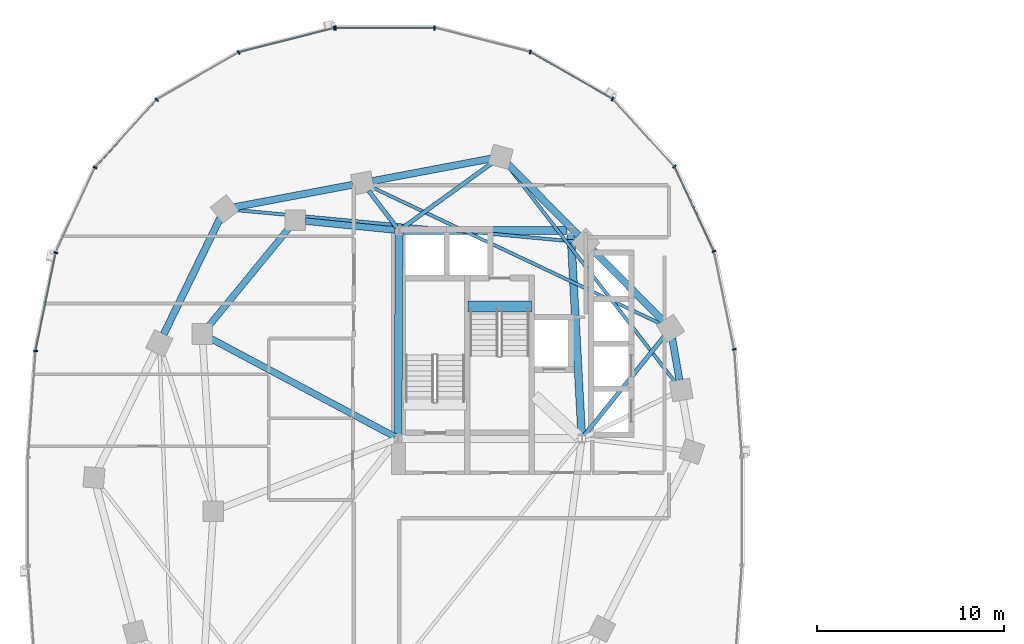
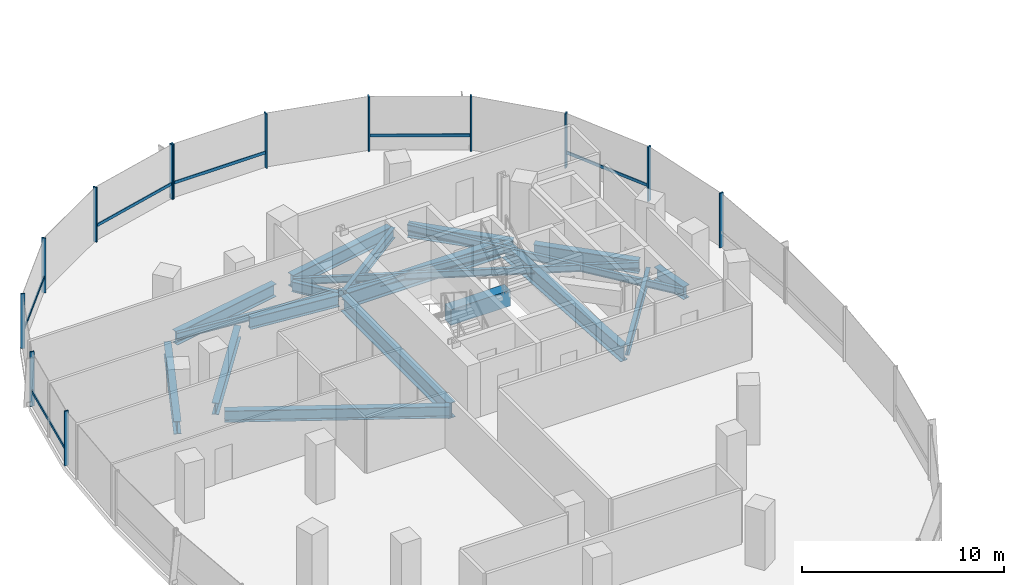
# One storey, part 4 of 21: 19 beams, 19 members, 2 elements without a shape of their own.
"""IFC4 building model written with IfcOpenShell, lengths in metres."""

from ifc_helpers import new_model, si_unit, direction, frame, origin, origin_2d, place, context, subcontext, project, spatial, rectangle, i_section, extrude, material, material_profile, profile_set, type_object, element, aggregate, save


model = new_model("IFC4")

# Units and contexts
model_context = context("Model", 3, precision=1e-05, world=origin(), true_north=direction((0.0, 1.0)))
body_context = subcontext(model_context, "Body", "Model", "MODEL_VIEW")
ifc_project = project(units=[si_unit("LENGTHUNIT", "METRE"), si_unit("AREAUNIT", "SQUARE_METRE"), si_unit("VOLUMEUNIT", "CUBIC_METRE"), si_unit("PLANEANGLEUNIT", "RADIAN"), si_unit("MASSUNIT", "GRAM", prefix="KILO"), si_unit("THERMODYNAMICTEMPERATUREUNIT", "KELVIN"), si_unit("POWERUNIT", "WATT")], contexts=[model_context])

# Site, building, storey
site_placement = place(None, origin())
site = spatial("IfcSite", under=ifc_project, at=site_placement, CompositionType="ELEMENT")
building_placement = place(site_placement, origin())
building = spatial("IfcBuilding", under=site, at=building_placement, Name="Cundina Bronze Exchange", CompositionType="ELEMENT")
storey_placement = place(building_placement, frame((0.0, 0.0, 89.0)))
storey = spatial("IfcBuildingStorey", under=building, at=storey_placement, Name="L22", CompositionType="ELEMENT", Elevation=89.0)

# Beams
ifc_material_1 = material(Name="Concrete C60/75", Category="concrete")
ifc_material_profile_1 = material_profile(ifc_material_1, rectangle(XDim=0.60009765625, YDim=0.949951171875, at=origin_2d()), Name="RC600X950", Category="concrete")
ifc_profile_set_1 = profile_set([ifc_material_profile_1], Name="Concrete C60/75")
beam_type_1 = type_object("IfcBeamType", Name="BM-COUP-RC950", PredefinedType="LINTEL", material=ifc_profile_set_1)
beam_1_placement = place(storey_placement, frame((-27.56005859375, 10.97998046875, -0.47509765625), z_axis=(1.0, 0.0, 0.0), x_axis=(0.0, 1.0, 0.0)))
element("IfcBeam", 1, at=beam_1_placement, inside=storey, type_object=beam_type_1, Name="L22 Stair W2 Landing Header Beam", PredefinedType="LINTEL", context=body_context, shape_type="SweptSolid", body=[
    extrude(rectangle(XDim=0.60009765625, YDim=0.949951171875, at=origin_2d()), origin(), (0.0, 0.0, 1.0), 3.400146484375),
])
ifc_material_2 = material(Name="Steel ASTM A992 Grade 50", Category="steel")
ifc_material_profile_2 = material_profile(ifc_material_2, i_section(OverallWidth=0.22998046875, OverallDepth=0.616943359375, WebThickness=0.01318359375, FlangeThickness=0.022216796875, FilletRadius=0.013916015625, at=origin_2d()), Name="W24X94", Category="steel")
ifc_profile_set_2 = profile_set([ifc_material_profile_2], Name="Steel ASTM A992 Grade 50")
beam_type_2 = type_object("IfcBeamType", Name="BM-FLR-W24B", PredefinedType="BEAM", material=ifc_profile_set_2)
beam_2_placement = place(storey_placement, frame((-21.322021484375, 4.058837890625, -0.6083984375), z_axis=(0.627106187843, 0.778933777139, 0.0), x_axis=(-0.778933777139, 0.627106187843, 0.0)))
element("IfcBeam", 2, at=beam_2_placement, inside=storey, type_object=beam_type_2, Name="L22 Leg W Radial Floor Beam 02", PredefinedType="BEAM", context=body_context, shape_type="SweptSolid", body=[
    extrude(i_section(OverallWidth=0.22998046875, OverallDepth=0.616943359375, WebThickness=0.01318359375, FlangeThickness=0.022216796875, FilletRadius=0.013916015625, at=origin_2d()), origin(), (0.0, 0.0, 1.0), 6.83251953125),
])
beam_3_placement = place(storey_placement, frame((-31.084716796875, 15.169677734375, -0.6083984375), z_axis=(0.809686957662, 0.586862020063, 0.0), x_axis=(-0.586862020063, 0.809686957662, 0.0)))
element("IfcBeam", 3, at=beam_3_placement, inside=storey, type_object=beam_type_2, Name="L22 Leg W Radial Floor Beam 04", PredefinedType="BEAM", context=body_context, shape_type="SweptSolid", body=[
    extrude(i_section(OverallWidth=0.22998046875, OverallDepth=0.616943359375, WebThickness=0.01318359375, FlangeThickness=0.022216796875, FilletRadius=0.013916015625, at=origin_2d()), origin(), (0.0, 0.0, 1.0), 5.98876953125),
])
beam_4_placement = place(storey_placement, frame((-31.373779296875, 15.2119140625, -0.6083984375), z_axis=(-0.607490490457, 0.79432695032, 0.0), x_axis=(-0.79432695032, -0.607490490457, 0.0)))
element("IfcBeam", 4, at=beam_4_placement, inside=storey, type_object=beam_type_2, Name="L22 Leg W Radial Floor Beam 05", PredefinedType="BEAM", context=body_context, shape_type="SweptSolid", body=[
    extrude(i_section(OverallWidth=0.22998046875, OverallDepth=0.616943359375, WebThickness=0.01318359375, FlangeThickness=0.022216796875, FilletRadius=0.013916015625, at=origin_2d()), origin(), (0.0, 0.0, 1.0), 2.46826171875),
])
ifc_material_profile_3 = material_profile(ifc_material_2, i_section(OverallWidth=0.178955078125, OverallDepth=0.409912109375, WebThickness=0.0087890625, FlangeThickness=0.014404296875, FilletRadius=0.010986328125, at=origin_2d()), Name="W16X45", Category="steel")
ifc_profile_set_3 = profile_set([ifc_material_profile_3], Name="Steel ASTM A992 Grade 50")
beam_type_3 = type_object("IfcBeamType", Name="BM-JST-W16", PredefinedType="JOIST", material=ifc_profile_set_3)
beam_5_placement = place(storey_placement, frame((-16.454345703125, 6.92529296875, -0.5048828125), z_axis=(-0.612065218806, 0.790807288742, 0.0), x_axis=(-0.790807288742, -0.612065218806, 0.0)))
element("IfcBeam", 5, at=beam_5_placement, inside=storey, type_object=beam_type_3, Name="L22 Leg W Lobe Floor Joist 01-04", PredefinedType="JOIST", context=body_context, shape_type="SweptSolid", body=[
    extrude(i_section(OverallWidth=0.178955078125, OverallDepth=0.409912109375, WebThickness=0.0087890625, FlangeThickness=0.014404296875, FilletRadius=0.010986328125, at=origin_2d()), origin(), (0.0, 0.0, 1.0), 14.73095703125),
])
beam_6_placement = place(storey_placement, frame((-17.186279296875, 10.02978515625, -0.5048828125), z_axis=(-0.904069270633, 0.427385954259, 0.0), x_axis=(-0.427385954259, -0.904069270633, 0.0)))
element("IfcBeam", 6, at=beam_6_placement, inside=storey, type_object=beam_type_3, Name="L22 Leg W Lobe Floor Joist 02-05", PredefinedType="JOIST", context=body_context, shape_type="SweptSolid", body=[
    extrude(i_section(OverallWidth=0.178955078125, OverallDepth=0.409912109375, WebThickness=0.0087890625, FlangeThickness=0.014404296875, FilletRadius=0.010986328125, at=origin_2d()), origin(), (0.0, 0.0, 1.0), 17.175048828125),
])
beam_7_placement = place(storey_placement, frame((-21.78564453125, 14.44970703125, -0.5048828125), z_axis=(-0.995700674022, 0.092629194921, 0.0), x_axis=(-0.092629194921, -0.995700674022, 0.0)))
element("IfcBeam", 7, at=beam_7_placement, inside=storey, type_object=beam_type_3, Name="L22 Leg W Lobe Floor Joist 03-06", PredefinedType="JOIST", context=body_context, shape_type="SweptSolid", body=[
    extrude(i_section(OverallWidth=0.178955078125, OverallDepth=0.409912109375, WebThickness=0.0087890625, FlangeThickness=0.014404296875, FilletRadius=0.010986328125, at=origin_2d()), origin(), (0.0, 0.0, 1.0), 18.357421875),
])
ifc_material_profile_4 = material_profile(ifc_material_2, i_section(OverallWidth=0.35498046875, OverallDepth=0.695068359375, WebThickness=0.015380859375, FlangeThickness=0.02490234375, FilletRadius=0.01806640625, at=origin_2d()), Name="W27X146", Category="steel")
ifc_profile_set_4 = profile_set([ifc_material_profile_4], Name="Steel ASTM A992 Grade 50")
beam_type_4 = type_object("IfcBeamType", Name="BM-RING-W27", PredefinedType="USERDEFINED", material=ifc_profile_set_4)
beam_8_placement = place(storey_placement, frame((-31.452880859375, 15.070068359375, -0.6474609375), z_axis=(-0.995126271817, 0.098608839051, 0.0), x_axis=(-0.098608839051, -0.995126271817, 0.0)))
element("IfcBeam", 8, at=beam_8_placement, inside=storey, type_object=beam_type_4, Name="L22 W Inner Structural Ring Girder 01", ObjectType="GIRDER", PredefinedType="USERDEFINED", context=body_context, shape_type="SweptSolid", body=[
    extrude(i_section(OverallWidth=0.35498046875, OverallDepth=0.695068359375, WebThickness=0.015380859375, FlangeThickness=0.02490234375, FilletRadius=0.01806640625, at=origin_2d()), origin(), (0.0, 0.0, 1.0), 4.83544921875),
])
beam_9_placement = place(storey_placement, frame((-37.14111328125, 15.183837890625, -0.6474609375), z_axis=(-0.633926549035, -0.773393257295, 0.0), x_axis=(0.773393257295, -0.633926549035, 0.0)))
element("IfcBeam", 9, at=beam_9_placement, inside=storey, type_object=beam_type_4, Name="L22 W Inner Structural Ring Girder 02", ObjectType="GIRDER", PredefinedType="USERDEFINED", context=body_context, shape_type="SweptSolid", body=[
    extrude(i_section(OverallWidth=0.35498046875, OverallDepth=0.695068359375, WebThickness=0.015380859375, FlangeThickness=0.02490234375, FilletRadius=0.01806640625, at=origin_2d()), origin(), (0.0, 0.0, 1.0), 6.811279296875),
])
beam_10_placement = place(storey_placement, frame((-31.47998046875, 3.99609375, -0.6474609375), z_axis=(-0.882354758239, 0.470584828286, 0.0), x_axis=(-0.470584828286, -0.882354758239, 0.0)))
element("IfcBeam", 10, at=beam_10_placement, inside=storey, type_object=beam_type_4, Name="L22 W Core-to-Waist Tie Beam 2", ObjectType="GIRDER", PredefinedType="USERDEFINED", context=body_context, shape_type="SweptSolid", body=[
    extrude(i_section(OverallWidth=0.35498046875, OverallDepth=0.695068359375, WebThickness=0.015380859375, FlangeThickness=0.02490234375, FilletRadius=0.01806640625, at=origin_2d()), origin(), (0.0, 0.0, 1.0), 11.157958984375),
])
ifc_material_profile_5 = material_profile(ifc_material_2, i_section(OverallWidth=0.381103515625, OverallDepth=0.77294921875, WebThickness=0.0166015625, FlangeThickness=0.027099609375, FilletRadius=0.01904296875, at=origin_2d()), Name="W30X173", Category="steel")
ifc_profile_set_5 = profile_set([ifc_material_profile_5], Name="Steel ASTM A992 Grade 50")
beam_type_5 = type_object("IfcBeamType", Name="BM-RING-W30", PredefinedType="USERDEFINED", material=ifc_profile_set_5)
beam_11_placement = place(storey_placement, frame((-16.21728515625, 7.030029296875, -0.6865234375), z_axis=(-0.171690078326, 0.985151012284, 0.0), x_axis=(-0.985151012284, -0.171690078326, 0.0)))
element("IfcBeam", 11, at=beam_11_placement, inside=storey, type_object=beam_type_5, Name="L22 W Perimeter Ring Girder 01", ObjectType="GIRDER", PredefinedType="USERDEFINED", context=body_context, shape_type="SweptSolid", body=[
    extrude(i_section(OverallWidth=0.381103515625, OverallDepth=0.77294921875, WebThickness=0.0166015625, FlangeThickness=0.027099609375, FilletRadius=0.01904296875, at=origin_2d()), origin(), (0.0, 0.0, 1.0), 2.273681640625),
])
for number, where, z_axis, x_axis, name in (
    (12, (-17.078369140625, 10.1826171875, -0.6865234375), (-0.703226342126, 0.7109660412, 0.0), (-0.7109660412, -0.703226342126, 0.0), "L22 W Perimeter Ring Girder 02"),
    (13, (-21.62841796875, 14.782470703125, -0.6865234375), (-0.703226342126, 0.7109660412, 0.0), (-0.7109660412, -0.703226342126, 0.0), "L22 W Perimeter Ring Girder 03"),
):
    element("IfcBeam", number, at=place(storey_placement, frame(where, z_axis=z_axis, x_axis=x_axis)), inside=storey, type_object=beam_type_5, Name=name, ObjectType="GIRDER", PredefinedType="USERDEFINED", context=body_context, shape_type="SweptSolid", body=[
        extrude(i_section(OverallWidth=0.381103515625, OverallDepth=0.77294921875, WebThickness=0.0166015625, FlangeThickness=0.027099609375, FilletRadius=0.01904296875, at=origin_2d()), origin(), (0.0, 0.0, 1.0), 5.39404296875),
    ])
for number, where, z_axis, x_axis, name in (
    (14, (-26.32861328125, 18.89990234375, -0.6865234375), (-0.98257117919, -0.185886733861, 0.0), (0.185886733861, -0.98257117919, 0.0), "L22 W Perimeter Ring Girder 04"),
    (15, (-33.728515625, 17.5, -0.6865234375), (-0.98257117919, -0.185886733861, 0.0), (0.185886733861, -0.98257117919, 0.0), "L22 W Perimeter Ring Girder 05"),
):
    element("IfcBeam", number, at=place(storey_placement, frame(where, z_axis=z_axis, x_axis=x_axis)), inside=storey, type_object=beam_type_5, Name=name, ObjectType="GIRDER", PredefinedType="USERDEFINED", context=body_context, shape_type="SweptSolid", body=[
        extrude(i_section(OverallWidth=0.381103515625, OverallDepth=0.77294921875, WebThickness=0.0166015625, FlangeThickness=0.027099609375, FilletRadius=0.01904296875, at=origin_2d()), origin(), (0.0, 0.0, 1.0), 6.455322265625),
    ])
beam_12_placement = place(storey_placement, frame((-40.835205078125, 15.716064453125, -0.6865234375), z_axis=(-0.437193894283, -0.899367276924, 0.0), x_axis=(0.899367276924, -0.437193894283, 0.0)))
element("IfcBeam", 16, at=beam_12_placement, inside=storey, type_object=beam_type_5, Name="L22 W Perimeter Ring Girder 06", ObjectType="GIRDER", PredefinedType="USERDEFINED", context=body_context, shape_type="SweptSolid", body=[
    extrude(i_section(OverallWidth=0.381103515625, OverallDepth=0.77294921875, WebThickness=0.0166015625, FlangeThickness=0.027099609375, FilletRadius=0.01904296875, at=origin_2d()), origin(), (0.0, 0.0, 1.0), 6.929443359375),
])
ifc_material_profile_6 = material_profile(ifc_material_2, i_section(OverallWidth=0.41796875, OverallDepth=0.927001953125, WebThickness=0.019287109375, FlangeThickness=0.031982421875, FilletRadius=0.02392578125, at=origin_2d()), Name="W36X231", Category="steel")
ifc_profile_set_6 = profile_set([ifc_material_profile_6], Name="Steel ASTM A992 Grade 50")
beam_type_6 = type_object("IfcBeamType", Name="BM-WRN-W36B", PredefinedType="USERDEFINED", material=ifc_profile_set_6)
beam_13_placement = place(storey_placement, frame((-21.4609375, 4.103759765625, -0.763427734375), z_axis=(-0.053739193498, 0.998555005537, 0.0), x_axis=(-0.998555005537, -0.053739193498, 0.0)))
element("IfcBeam", 17, at=beam_13_placement, inside=storey, type_object=beam_type_6, Name="L22 W Core Perimeter Tie Girder 2", ObjectType="GIRDER", PredefinedType="USERDEFINED", context=body_context, shape_type="SweptSolid", body=[
    extrude(i_section(OverallWidth=0.41796875, OverallDepth=0.927001953125, WebThickness=0.019287109375, FlangeThickness=0.031982421875, FilletRadius=0.02392578125, at=origin_2d()), origin(), (0.0, 0.0, 1.0), 10.758056640625),
])
beam_14_placement = place(storey_placement, frame((-22.25390625, 15.050048828125, -0.763427734375), z_axis=(-1.0, 0.0, 0.0), x_axis=(0.0, -1.0, 0.0)))
element("IfcBeam", 18, at=beam_14_placement, inside=storey, type_object=beam_type_6, Name="L22 W Core Perimeter Tie Girder 3", ObjectType="GIRDER", PredefinedType="USERDEFINED", context=body_context, shape_type="SweptSolid", body=[
    extrude(i_section(OverallWidth=0.41796875, OverallDepth=0.927001953125, WebThickness=0.019287109375, FlangeThickness=0.031982421875, FilletRadius=0.02392578125, at=origin_2d()), origin(), (0.0, 0.0, 1.0), 8.7919921875),
])
beam_15_placement = place(storey_placement, frame((-31.2509765625, 14.845947265625, -0.763427734375), z_axis=(-0.004477329608, -0.99998997671, 0.0), x_axis=(0.99998997671, -0.004477329608, 0.0)))
element("IfcBeam", 19, at=beam_15_placement, inside=storey, type_object=beam_type_6, Name="L22 W Core Perimeter Tie Girder 4", ObjectType="GIRDER", PredefinedType="USERDEFINED", context=body_context, shape_type="SweptSolid", body=[
    extrude(i_section(OverallWidth=0.41796875, OverallDepth=0.927001953125, WebThickness=0.019287109375, FlangeThickness=0.031982421875, FilletRadius=0.02392578125, at=origin_2d()), origin(), (0.0, 0.0, 1.0), 10.741943359375),
])

# Curtain wall, members
ifc_material_3 = material(Name="Anodised Bronze Aluminium 6063-T6", Category="aluminium")
curtain_wall_type = type_object("IfcCurtainWallType", Name="CWS-TRD-MID", PredefinedType="NOTDEFINED", material=ifc_material_3)
curtain_wall_1_placement = place(storey_placement, origin())
curtain_wall_1 = element("IfcCurtainWall", 20, at=curtain_wall_1_placement, inside=storey, type_object=curtain_wall_type, Name="L22 CW-03 Curtain Wall Run CWR-L22-W1", PredefinedType="NOTDEFINED")
ifc_material_profile_7 = material_profile(ifc_material_3, rectangle(XDim=0.074951171875, YDim=0.219970703125, at=origin_2d()), Name="AL75X220", Category="aluminium")
ifc_profile_set_7 = profile_set([ifc_material_profile_7], Name="Anodised Bronze Aluminium 6063-T6")
member_type_1 = type_object("IfcMemberType", Name="CWM-MUL-220", PredefinedType="MULLION", material=ifc_profile_set_7)
member_1_placement = place(storey_placement, frame((-13.282958984375, 8.67822265625, 0.0), z_axis=(0.0, 0.0, 1.0), x_axis=(-0.201419845156, 0.979505000486, 0.0)))
member_1 = element("IfcMember", 21, at=member_1_placement, type_object=member_type_1, Name="CW-03 Mullion 2", PredefinedType="MULLION", context=body_context, shape_type="SweptSolid", body=[
    extrude(rectangle(XDim=0.074951171875, YDim=0.219970703125, at=origin_2d()), origin(), (0.0, 0.0, 1.0), 3.300048828125),
])
member_2_placement = place(storey_placement, frame((-14.3720703125, 13.931884765625, 0.0), z_axis=(0.0, 0.0, 1.0), x_axis=(-0.42087749791, 0.907117485088, 0.0)))
member_2 = element("IfcMember", 22, at=member_2_placement, type_object=member_type_1, Name="CW-03 Mullion 3", PredefinedType="MULLION", context=body_context, shape_type="SweptSolid", body=[
    extrude(rectangle(XDim=0.074951171875, YDim=0.219970703125, at=origin_2d()), origin(), (0.0, 0.0, 1.0), 3.300048828125),
])
member_3_placement = place(storey_placement, frame((-16.491455078125, 18.47705078125, 0.0), z_axis=(0.0, 0.0, 1.0), x_axis=(-0.674302387584, 0.738455340626, 0.0)))
member_3 = element("IfcMember", 23, at=member_3_placement, type_object=member_type_1, Name="CW-03 Mullion 4", PredefinedType="MULLION", context=body_context, shape_type="SweptSolid", body=[
    extrude(rectangle(XDim=0.074951171875, YDim=0.219970703125, at=origin_2d()), origin(), (0.0, 0.0, 1.0), 3.300048828125),
])
member_4_placement = place(storey_placement, frame((-19.810302734375, 22.097412109375, 0.0), z_axis=(0.0, 0.0, 1.0), x_axis=(-0.867070701164, 0.498185105339, 0.0)))
member_4 = element("IfcMember", 24, at=member_4_placement, type_object=member_type_1, Name="CW-03 Mullion 5", PredefinedType="MULLION", context=body_context, shape_type="SweptSolid", body=[
    extrude(rectangle(XDim=0.074951171875, YDim=0.219970703125, at=origin_2d()), origin(), (0.0, 0.0, 1.0), 3.300048828125),
])
member_5_placement = place(storey_placement, frame((-24.21484375, 24.61669921875, 0.0), z_axis=(0.0, 0.0, 1.0), x_axis=(-0.969488149345, 0.245138182011, 0.0)))
member_5 = element("IfcMember", 25, at=member_5_placement, type_object=member_type_1, Name="CW-03 Mullion 6", PredefinedType="MULLION", context=body_context, shape_type="SweptSolid", body=[
    extrude(rectangle(XDim=0.074951171875, YDim=0.219970703125, at=origin_2d()), origin(), (0.0, 0.0, 1.0), 3.300048828125),
])
member_6_placement = place(storey_placement, frame((-29.345458984375, 25.905029296875, 0.0), z_axis=(0.0, 0.0, 1.0), x_axis=(-1.0, 0.0, 0.0)))
member_6 = element("IfcMember", 26, at=member_6_placement, type_object=member_type_1, Name="CW-03 Mullion 7", PredefinedType="MULLION", context=body_context, shape_type="SweptSolid", body=[
    extrude(rectangle(XDim=0.074951171875, YDim=0.219970703125, at=origin_2d()), origin(), (0.0, 0.0, 1.0), 3.300048828125),
])
member_7_placement = place(storey_placement, frame((-34.654541015625, 25.905029296875, 0.0), z_axis=(0.0, 0.0, 1.0), x_axis=(-1.0, 0.0, 0.0)))
member_7 = element("IfcMember", 27, at=member_7_placement, type_object=member_type_1, Name="CW-03 End Mullion", PredefinedType="MULLION", context=body_context, shape_type="SweptSolid", body=[
    extrude(rectangle(XDim=0.074951171875, YDim=0.219970703125, at=origin_2d()), origin(), (0.0, 0.0, 1.0), 3.300048828125),
])

curtain_wall_2_placement = place(storey_placement, origin())
curtain_wall_2 = element("IfcCurtainWall", 28, at=curtain_wall_2_placement, inside=storey, type_object=curtain_wall_type, Name="L22 CW-03 Curtain Wall Run CWR-L22-W2", PredefinedType="NOTDEFINED")
member_8_placement = place(storey_placement, frame((-34.72607421875, 25.89599609375, 0.0), z_axis=(0.0, 0.0, 1.0), x_axis=(-0.969488149345, -0.245138182011, 0.0)))
member_8 = element("IfcMember", 29, at=member_8_placement, type_object=member_type_1, Name="CW-03 Mullion 1", PredefinedType="MULLION", context=body_context, shape_type="SweptSolid", body=[
    extrude(rectangle(XDim=0.074951171875, YDim=0.219970703125, at=origin_2d()), origin(), (0.0, 0.0, 1.0), 3.300048828125),
])
member_9_placement = place(storey_placement, frame((-39.848876953125, 24.591064453125, 0.0), z_axis=(0.0, 0.0, 1.0), x_axis=(-0.867070701164, -0.498185105339, 0.0)))
member_9 = element("IfcMember", 30, at=member_9_placement, type_object=member_type_1, Name="CW-03 Mullion 2", PredefinedType="MULLION", context=body_context, shape_type="SweptSolid", body=[
    extrude(rectangle(XDim=0.074951171875, YDim=0.219970703125, at=origin_2d()), origin(), (0.0, 0.0, 1.0), 3.300048828125),
])
member_10_placement = place(storey_placement, frame((-44.239501953125, 22.0576171875, 0.0), z_axis=(0.0, 0.0, 1.0), x_axis=(-0.674302387584, -0.738455340626, 0.0)))
member_10 = element("IfcMember", 31, at=member_10_placement, type_object=member_type_1, Name="CW-03 Mullion 3", PredefinedType="MULLION", context=body_context, shape_type="SweptSolid", body=[
    extrude(rectangle(XDim=0.074951171875, YDim=0.219970703125, at=origin_2d()), origin(), (0.0, 0.0, 1.0), 3.300048828125),
])
member_11_placement = place(storey_placement, frame((-47.544189453125, 18.423583984375, 0.0), z_axis=(0.0, 0.0, 1.0), x_axis=(-0.42087749791, -0.907117485088, 0.0)))
member_11 = element("IfcMember", 32, at=member_11_placement, type_object=member_type_1, Name="CW-03 Mullion 4", PredefinedType="MULLION", context=body_context, shape_type="SweptSolid", body=[
    extrude(rectangle(XDim=0.074951171875, YDim=0.219970703125, at=origin_2d()), origin(), (0.0, 0.0, 1.0), 3.300048828125),
])
member_12_placement = place(storey_placement, frame((-49.651123046875, 13.861328125, 0.0), z_axis=(0.0, 0.0, 1.0), x_axis=(-0.201419845156, -0.979505000486, 0.0)))
member_12 = element("IfcMember", 33, at=member_12_placement, type_object=member_type_1, Name="CW-03 Mullion 5", PredefinedType="MULLION", context=body_context, shape_type="SweptSolid", body=[
    extrude(rectangle(XDim=0.074951171875, YDim=0.219970703125, at=origin_2d()), origin(), (0.0, 0.0, 1.0), 3.300048828125),
])
member_13_placement = place(storey_placement, frame((-50.72900390625, 8.591552734375, 0.0), z_axis=(0.0, 0.0, 1.0), x_axis=(-0.070278787473, -0.997527389113, 0.0)))
member_13 = element("IfcMember", 34, at=member_13_placement, type_object=member_type_1, Name="CW-03 Mullion 6", PredefinedType="MULLION", context=body_context, shape_type="SweptSolid", body=[
    extrude(rectangle(XDim=0.074951171875, YDim=0.219970703125, at=origin_2d()), origin(), (0.0, 0.0, 1.0), 3.300048828125),
])

# Member
ifc_material_profile_8 = material_profile(ifc_material_3, rectangle(XDim=0.070068359375, YDim=0.179931640625, at=origin_2d()), Name="AL70X180", Category="aluminium")
ifc_profile_set_8 = profile_set([ifc_material_profile_8], Name="Anodised Bronze Aluminium 6063-T6")
member_type_2 = type_object("IfcMemberType", Name="CWM-TRN-180", PredefinedType="USERDEFINED", material=ifc_profile_set_8)
member_14_placement = place(storey_placement, frame((-14.389404296875, 13.96923828125, 0.919921875), z_axis=(-0.420811422796, 0.907148139195, 0.0), x_axis=(-0.907148139195, -0.420811422796, 0.0)))
member_14 = element("IfcMember", 35, at=member_14_placement, type_object=member_type_2, Name="CW-03 Spandrel Transom 3", ObjectType="TRANSOM", PredefinedType="USERDEFINED", context=body_context, shape_type="SweptSolid", body=[
    extrude(rectangle(XDim=0.070068359375, YDim=0.179931640625, at=origin_2d()), origin(), (0.0, 0.0, 1.0), 4.95166015625),
])

member_15_placement = place(storey_placement, frame((-19.845947265625, 22.117919921875, 0.919921875), z_axis=(-0.867097475651, 0.498138502546, 0.0), x_axis=(-0.498138502546, -0.867097475651, 0.0)))
member_15 = element("IfcMember", 36, at=member_15_placement, type_object=member_type_2, Name="CW-03 Spandrel Transom 5", ObjectType="TRANSOM", PredefinedType="USERDEFINED", context=body_context, shape_type="SweptSolid", body=[
    extrude(rectangle(XDim=0.070068359375, YDim=0.179931640625, at=origin_2d()), origin(), (0.0, 0.0, 1.0), 5.00634765625),
])

member_16_placement = place(storey_placement, frame((-29.38671875, 25.905029296875, 0.919921875), z_axis=(-1.0, 0.0, 0.0), x_axis=(0.0, -1.0, 0.0)))
member_16 = element("IfcMember", 37, at=member_16_placement, type_object=member_type_2, Name="CW-03 Spandrel Transom 7", ObjectType="TRANSOM", PredefinedType="USERDEFINED", context=body_context, shape_type="SweptSolid", body=[
    extrude(rectangle(XDim=0.070068359375, YDim=0.179931640625, at=origin_2d()), origin(), (0.0, 0.0, 1.0), 5.2265625),
])

aggregate(curtain_wall_1, [member_1, member_2, member_14, member_3, member_4, member_15, member_5, member_6, member_7, member_16])

member_17_placement = place(storey_placement, frame((-34.76611328125, 25.885986328125, 0.919921875), z_axis=(-0.969483968866, -0.245154714644, 0.0), x_axis=(0.245154714644, -0.969483968866, 0.0)))
member_17 = element("IfcMember", 38, at=member_17_placement, type_object=member_type_2, Name="CW-03 Spandrel Transom 1", ObjectType="TRANSOM", PredefinedType="USERDEFINED", context=body_context, shape_type="SweptSolid", body=[
    extrude(rectangle(XDim=0.070068359375, YDim=0.179931640625, at=origin_2d()), origin(), (0.0, 0.0, 1.0), 5.21826171875),
])

member_18_placement = place(storey_placement, frame((-44.26708984375, 22.027099609375, 0.919921875), z_axis=(-0.674302794847, -0.738454968743, 0.0), x_axis=(0.738454968743, -0.674302794847, 0.0)))
member_18 = element("IfcMember", 39, at=member_18_placement, type_object=member_type_2, Name="CW-03 Spandrel Transom 3", ObjectType="TRANSOM", PredefinedType="USERDEFINED", context=body_context, shape_type="SweptSolid", body=[
    extrude(rectangle(XDim=0.070068359375, YDim=0.179931640625, at=origin_2d()), origin(), (0.0, 0.0, 1.0), 4.848388671875),
])

member_19_placement = place(storey_placement, frame((-49.659423828125, 13.821044921875, 0.919921875), z_axis=(-0.201427712708, -0.979503382615, 0.0), x_axis=(0.979503382615, -0.201427712708, 0.0)))
member_19 = element("IfcMember", 40, at=member_19_placement, type_object=member_type_2, Name="CW-03 Spandrel Transom 5", ObjectType="TRANSOM", PredefinedType="USERDEFINED", context=body_context, shape_type="SweptSolid", body=[
    extrude(rectangle(XDim=0.070068359375, YDim=0.179931640625, at=origin_2d()), origin(), (0.0, 0.0, 1.0), 5.291748046875),
])

aggregate(curtain_wall_2, [member_8, member_17, member_9, member_10, member_18, member_11, member_12, member_19, member_13])

save(model, "model.ifc")
